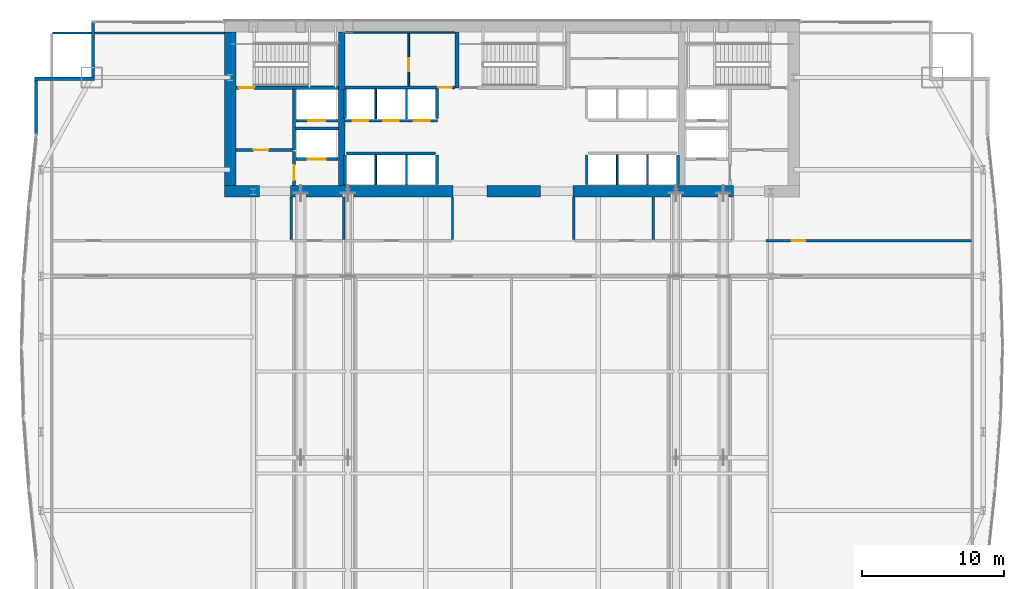
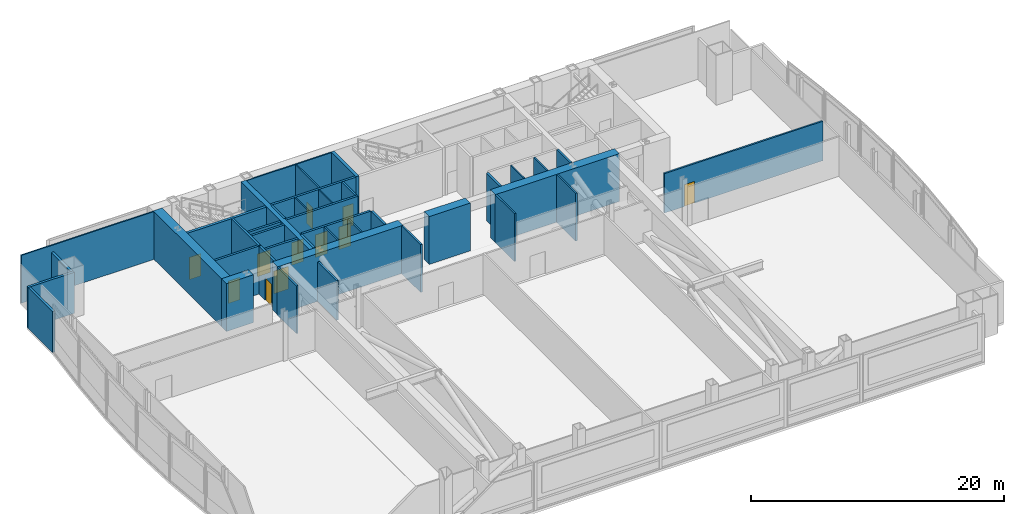
# One storey, part 27 of 32: 41 walls, 11 doors, 11 openings.
"""IFC4 building model written with IfcOpenShell, lengths in metres."""

from ifc_helpers import new_model, si_unit, direction, frame, frame_2d, origin, place, context, subcontext, project, spatial, rectangle, extrude, material, layer, layer_set, type_object, element, fill, save


model = new_model("IFC4")

# Units and contexts
model_context = context("Model", 3, precision=1e-05, world=origin(), true_north=direction((0.0, 1.0)))
body_context = subcontext(model_context, "Body", "Model", "MODEL_VIEW")
ifc_project = project(units=[si_unit("LENGTHUNIT", "METRE"), si_unit("AREAUNIT", "SQUARE_METRE"), si_unit("VOLUMEUNIT", "CUBIC_METRE"), si_unit("PLANEANGLEUNIT", "RADIAN"), si_unit("MASSUNIT", "GRAM", prefix="KILO")], contexts=[model_context])

# Site, building, storey
site_placement = place(None, origin())
site = spatial("IfcSite", under=ifc_project, at=site_placement, CompositionType="ELEMENT")
building_placement = place(site_placement, origin())
building = spatial("IfcBuilding", under=site, at=building_placement, Name="Khoronbel Lancet Exchange", CompositionType="ELEMENT")
storey_placement = place(building_placement, frame((0.0, 0.0, 85.800048828125)))
storey = spatial("IfcBuildingStorey", under=building, at=storey_placement, Name="L20", CompositionType="ELEMENT", Elevation=85.800048828125)

# Walls
ifc_material_1 = material(Name="Concrete C80/95", Category="concrete")
ifc_layer_1 = layer(ifc_material_1, 0.800048828125, Name="Concrete C80/95")
ifc_layer_set_1 = layer_set([ifc_layer_1], Name="Concrete C80/95")
wall_type_1 = type_object("IfcWallType", Name="WL-CW1", PredefinedType="SHEAR", material=ifc_layer_set_1)
wall_1_placement = place(storey_placement, frame((16.60009765625, 42.10009765625, 0.0), z_axis=(0.0, 0.0, 1.0), x_axis=(0.0, 1.0, 0.0)))
element("IfcWall", 1, at=wall_1_placement, inside=storey, type_object=wall_type_1, Name="Level L20 rear core west shear wall", PredefinedType="SHEAR", context=body_context, shape_type="SweptSolid", body=[
    extrude(rectangle(XDim=10.7998046875, YDim=0.800048828125, at=frame_2d((5.39990234375, 0.0))), origin(), (0.0, 0.0, 1.0), 4.619873046875),
])
wall_2_placement = place(storey_placement, frame((18.64990234375, 41.699951171875, 0.0), z_axis=(0.0, 0.0, 1.0), x_axis=(-1.0, 0.0, 0.0)))
element("IfcWall", 2, at=wall_2_placement, inside=storey, type_object=wall_type_1, Name="Level L20 rear core south shear wall pier P1", PredefinedType="SHEAR", context=body_context, shape_type="SweptSolid", body=[
    extrude(rectangle(XDim=2.449951171875, YDim=0.800048828125, at=frame_2d((1.22509765625, 0.0))), origin(), (0.0, 0.0, 1.0), 4.619873046875),
])
wall_3_placement = place(storey_placement, frame((32.300048828125, 41.699951171875, 0.0), z_axis=(0.0, 0.0, 1.0), x_axis=(-1.0, 0.0, 0.0)))
element("IfcWall", 3, at=wall_3_placement, inside=storey, type_object=wall_type_1, Name="Level L20 rear core south shear wall pier P2", PredefinedType="SHEAR", context=body_context, shape_type="SweptSolid", body=[
    extrude(rectangle(XDim=11.449951171875, YDim=0.800048828125, at=frame_2d((5.72509765625, 0.0))), origin(), (0.0, 0.0, 1.0), 4.619873046875),
])
wall_4_placement = place(storey_placement, frame((38.449951171875, 41.699951171875, 0.0), z_axis=(0.0, 0.0, 1.0), x_axis=(-1.0, 0.0, 0.0)))
element("IfcWall", 4, at=wall_4_placement, inside=storey, type_object=wall_type_1, Name="Level L20 rear core south shear wall pier P3", PredefinedType="SHEAR", context=body_context, shape_type="SweptSolid", body=[
    extrude(rectangle(XDim=3.75, YDim=0.800048828125, at=frame_2d((1.875, 0.0))), origin(), (0.0, 0.0, 1.0), 4.619873046875),
])
wall_5_placement = place(storey_placement, frame((52.050048828125, 41.699951171875, 0.0), z_axis=(0.0, 0.0, 1.0), x_axis=(-1.0, 0.0, 0.0)))
element("IfcWall", 5, at=wall_5_placement, inside=storey, type_object=wall_type_1, Name="Level L20 rear core south shear wall pier P4", PredefinedType="SHEAR", context=body_context, shape_type="SweptSolid", body=[
    extrude(rectangle(XDim=11.300048828125, YDim=0.800048828125, at=frame_2d((5.64990234375, 0.0))), origin(), (0.0, 0.0, 1.0), 4.619873046875),
])
ifc_material_2 = material(Name="Precast concrete C40/50", Category="concrete")
ifc_layer_2 = layer(ifc_material_2, 0.25, Name="Precast concrete C40/50")
ifc_layer_set_2 = layer_set([ifc_layer_2], Name="Precast concrete C40/50")
wall_type_2 = type_object("IfcWallType", Name="WL-EXT250", PredefinedType="SOLIDWALL", material=ifc_layer_set_2)
wall_6_placement = place(storey_placement, frame((2.93994140625, 45.67529296875, 0.0), z_axis=(0.0, 0.0, 1.0), x_axis=(0.0, 1.0, 0.0)))
element("IfcWall", 6, at=wall_6_placement, inside=storey, type_object=wall_type_2, Name="Level L20 notched-corner limestone pier 10", PredefinedType="SOLIDWALL", context=body_context, shape_type="SweptSolid", body=[
    extrude(rectangle(XDim=3.82470703125, YDim=0.219970703125, at=frame_2d((1.912353515625, 0.0))), origin(), (0.0, 0.0, 1.0), 3.9599609375),
])
wall_7_placement = place(storey_placement, frame((2.830078125, 49.610107421875, 0.0), z_axis=(0.0, 0.0, 1.0), x_axis=(1.0, 0.0, 0.0)))
element("IfcWall", 7, at=wall_7_placement, inside=storey, type_object=wall_type_2, Name="Level L20 notched-corner limestone pier 11", PredefinedType="SOLIDWALL", context=body_context, shape_type="SweptSolid", body=[
    extrude(rectangle(XDim=4.219970703125, YDim=0.219970703125, at=frame_2d((2.10986328125, 0.0))), origin(), (0.0, 0.0, 1.0), 3.9599609375),
])
wall_8_placement = place(storey_placement, frame((6.93994140625, 49.719970703125, 0.0), z_axis=(0.0, 0.0, 1.0), x_axis=(0.0, 1.0, 0.0)))
element("IfcWall", 8, at=wall_8_placement, inside=storey, type_object=wall_type_2, Name="Level L20 notched-corner limestone pier 12", PredefinedType="SOLIDWALL", context=body_context, shape_type="SweptSolid", body=[
    extrude(rectangle(XDim=3.909912109375, YDim=0.219970703125, at=frame_2d((1.955078125, 0.0))), origin(), (0.0, 0.0, 1.0), 3.9599609375),
])
ifc_material_3 = material(Name="Acoustic Metal-Stud & Mineral-Wool Gypsum Partition 120 mm", Category="gypsum")
ifc_layer_3 = layer(ifc_material_3, 0.1201171875, Name="Acoustic Metal-Stud & Mineral-Wool Gypsum Partition 120 mm")
ifc_layer_set_3 = layer_set([ifc_layer_3], Name="Acoustic Metal-Stud & Mineral-Wool Gypsum Partition 120 mm")
wall_type_3 = type_object("IfcWallType", Name="WL-PRT120", PredefinedType="PARTITIONING", material=ifc_layer_set_3)
wall_9_placement = place(storey_placement, frame((20.89990234375, 38.280029296875, 0.0), z_axis=(0.0, 0.0, 1.0), x_axis=(0.0, 1.0, 0.0)))
element("IfcWall", 9, at=wall_9_placement, inside=storey, type_object=wall_type_3, Name="Level L20 interior partition PW-RF-WC0", PredefinedType="PARTITIONING", context=body_context, shape_type="SweptSolid", body=[
    extrude(rectangle(XDim=3.02001953125, YDim=0.14990234375, at=frame_2d((1.510009765625, 0.0))), origin(), (0.0, 0.0, 1.0), 4.619873046875),
])
wall_10_placement = place(storey_placement, frame((24.60009765625, 38.280029296875, 0.0), z_axis=(0.0, 0.0, 1.0), x_axis=(0.0, 1.0, 0.0)))
element("IfcWall", 10, at=wall_10_placement, inside=storey, type_object=wall_type_3, Name="Level L20 interior partition PW-RF-WC", PredefinedType="PARTITIONING", context=body_context, shape_type="SweptSolid", body=[
    extrude(rectangle(XDim=3.02001953125, YDim=0.14990234375, at=frame_2d((1.510009765625, 0.0))), origin(), (0.0, 0.0, 1.0), 3.81005859375),
])
for number, where, z_axis, x_axis, name in (
    (11, (32.25, 38.280029296875, 0.0), (0.0, 0.0, 1.0), (0.0, 1.0, 0.0), "Level L20 interior partition PW-RF-WC3"),
    (12, (40.800048828125, 38.280029296875, 0.0), (0.0, 0.0, 1.0), (0.0, 1.0, 0.0), "Level L20 interior partition PW-RF-NE0"),
    (13, (46.39990234375, 38.280029296875, 0.0), (0.0, 0.0, 1.0), (0.0, 1.0, 0.0), "Level L20 interior partition PW-RF-NEM"),
):
    element("IfcWall", number, at=place(storey_placement, frame(where, z_axis=z_axis, x_axis=x_axis)), inside=storey, type_object=wall_type_3, Name=name, PredefinedType="PARTITIONING", context=body_context, shape_type="SweptSolid", body=[
        extrude(rectangle(XDim=3.02001953125, YDim=0.14990234375, at=frame_2d((1.510009765625, 0.0))), origin(), (0.0, 0.0, 1.0), 4.619873046875),
    ])
wall_11_placement = place(storey_placement, frame((4.094970703125, 52.840087890625, 0.0), z_axis=(0.0, 0.0, 1.0), x_axis=(1.0, 0.0, 0.0)))
element("IfcWall", 14, at=wall_11_placement, inside=storey, type_object=wall_type_3, Name="Level L20 interior partition PW-LIN-NW", PredefinedType="PARTITIONING", context=body_context, shape_type="SweptSolid", body=[
    extrude(rectangle(XDim=12.10498046875, YDim=0.1201171875, at=frame_2d((6.052490234375, 0.0))), origin(), (0.0, 0.0, 1.0), 4.619873046875),
])
ifc_material_4 = material(Name="Fire-Rated Metal-Stud & Mineral-Wool Gypsum Partition 120 mm", Category="gypsum")
ifc_layer_4 = layer(ifc_material_4, 0.1201171875, Name="Fire-Rated Metal-Stud & Mineral-Wool Gypsum Partition 120 mm")
ifc_layer_set_4 = layer_set([ifc_layer_4], Name="Fire-Rated Metal-Stud & Mineral-Wool Gypsum Partition 120 mm")
wall_type_4 = type_object("IfcWallType", Name="WL-PRT120F", PredefinedType="PARTITIONING", material=ifc_layer_set_4)
for number, where, z_axis, x_axis, name in (
    (15, (26.860107421875, 46.800048828125, 0.0), (0.0, 0.0, 1.0), (0.0, 1.0, 0.0), "Level L20 interior partition CW-PL-D1"),
    (16, (29.02001953125, 46.800048828125, 0.0), (0.0, 0.0, 1.0), (0.0, 1.0, 0.0), "Level L20 interior partition CW-PL-D2"),
):
    element("IfcWall", number, at=place(storey_placement, frame(where, z_axis=z_axis, x_axis=x_axis)), inside=storey, type_object=wall_type_4, Name=name, PredefinedType="PARTITIONING", context=body_context, shape_type="SweptSolid", body=[
        extrude(rectangle(XDim=2.094970703125, YDim=0.1201171875, at=frame_2d((1.04736328125, 0.0))), origin(), (0.0, 0.0, 1.0), 4.619873046875),
    ])
for number, where, z_axis, x_axis, name in (
    (17, (26.860107421875, 42.14990234375, 0.0), (0.0, 0.0, 1.0), (0.0, 1.0, 0.0), "Level L20 interior partition CW-PM-D1"),
    (18, (29.02001953125, 42.14990234375, 0.0), (0.0, 0.0, 1.0), (0.0, 1.0, 0.0), "Level L20 interior partition CW-PM-D2"),
    (19, (43.860107421875, 42.14990234375, 0.0), (0.0, 0.0, 1.0), (0.0, 1.0, 0.0), "Level L20 interior partition CW-PX-D1"),
    (20, (46.0, 42.14990234375, 0.0), (0.0, 0.0, 1.0), (0.0, 1.0, 0.0), "Level L20 interior partition CW-PX-D2"),
):
    element("IfcWall", number, at=place(storey_placement, frame(where, z_axis=z_axis, x_axis=x_axis)), inside=storey, type_object=wall_type_4, Name=name, PredefinedType="PARTITIONING", context=body_context, shape_type="SweptSolid", body=[
        extrude(rectangle(XDim=2.09521484375, YDim=0.1201171875, at=frame_2d((1.047607421875, 0.0))), origin(), (0.0, 0.0, 1.0), 4.619873046875),
    ])
wall_12_placement = place(storey_placement, frame((24.699951171875, 52.860107421875, 0.0), z_axis=(0.0, 0.0, 1.0), x_axis=(1.0, 0.0, 0.0)))
element("IfcWall", 21, at=wall_12_placement, inside=storey, type_object=wall_type_4, Name="Level L20 interior partition CW-SUP-NW-N", PredefinedType="PARTITIONING", context=body_context, shape_type="SweptSolid", body=[
    extrude(rectangle(XDim=7.719970703125, YDim=0.1201171875, at=frame_2d((3.85986328125, 0.0))), origin(), (0.0, 0.0, 1.0), 4.619873046875),
])

# Wall, opening, door
wall_13_placement = place(storey_placement, frame((29.177490234375, 49.10498046875, 0.0), z_axis=(0.0, 0.0, 1.0), x_axis=(0.0, 1.0, 0.0)))
wall_13 = element("IfcWall", 22, at=wall_13_placement, inside=storey, type_object=wall_type_4, Name="Level L20 interior partition CW-SUP-NW-M", PredefinedType="PARTITIONING", context=body_context, shape_type="SweptSolid", body=[
    extrude(rectangle(XDim=3.68994140625, YDim=0.1201171875, at=frame_2d((1.844970703125, 0.0))), origin(), (0.0, 0.0, 1.0), 4.619873046875),
])
opening_1_placement = place(wall_13_placement, frame((1.050048828125, 0.0, 0.0)))
opening_1 = element("IfcOpeningElement", 23, at=opening_1_placement, cuts=wall_13, Name="Opening FD4", PredefinedType="OPENING", context=body_context, shape_type="SweptSolid", body=[
    extrude(rectangle(XDim=0.89990234375, YDim=2.050048828125, at=frame_2d((0.449951171875, 1.02490234375))), frame((0.0, 0.070068359375, 0.0), z_axis=(0.0, -1.0, 0.0), x_axis=(1.0, 0.0, 0.0)), (0.0, 0.0, 1.0), 0.14013671875),
])
ifc_material_5 = material(Name="Fire-Rated Steel Core Support Door Assembly", Category="steel")
door_type_1 = type_object("IfcDoorType", Name="DR-FD4", OperationType="NOTDEFINED", PredefinedType="DOOR", material=ifc_material_5)
door_1_placement = place(opening_1_placement, origin())
door_1 = element("IfcDoor", 24, at=door_1_placement, inside=storey, type_object=door_type_1, Name="Core NW inner support door L20-1", OperationType="SINGLE_SWING_LEFT", OverallHeight=2.050048828125, OverallWidth=0.89990234375, PredefinedType="DOOR", context=body_context, shape_type="SweptSolid", body=[
    extrude(rectangle(XDim=0.89990234375, YDim=2.050048828125, at=frame_2d((0.449951171875, 1.02490234375))), frame((0.0, 0.02490234375, 0.0), z_axis=(0.0, -1.0, 0.0), x_axis=(1.0, 0.0, 0.0)), (0.0, 0.0, 1.0), 0.050048828125),
])
fill(opening_1, door_1)

ifc_material_6 = material(Name="Fire-Rated Twin-Stud Acoustic Gypsum Partition 150 mm", Category="gypsum")
ifc_layer_5 = layer(ifc_material_6, 0.14990234375, Name="Fire-Rated Twin-Stud Acoustic Gypsum Partition 150 mm")
ifc_layer_set_5 = layer_set([ifc_layer_5], Name="Fire-Rated Twin-Stud Acoustic Gypsum Partition 150 mm")
wall_type_5 = type_object("IfcWallType", Name="WL-PRT150C", PredefinedType="PARTITIONING", material=ifc_layer_set_5)
wall_14_placement = place(storey_placement, frame((54.35009765625, 38.199951171875, 0.0), z_axis=(0.0, 0.0, 1.0), x_axis=(1.0, 0.0, 0.0)))
wall_14 = element("IfcWall", 25, at=wall_14_placement, inside=storey, type_object=wall_type_5, Name="Level L20 interior partition PW-RF-NES", PredefinedType="PARTITIONING", context=body_context, shape_type="SweptSolid", body=[
    extrude(rectangle(XDim=14.454833984375, YDim=0.14990234375, at=frame_2d((7.2275390625, 0.0))), origin(), (0.0, 0.0, 1.0), 3.81005859375),
])
opening_2_placement = place(wall_14_placement, frame((1.800048828125, 0.0, 0.0)))
opening_2 = element("IfcOpeningElement", 26, at=opening_2_placement, cuts=wall_14, Name="Opening FD3", PredefinedType="OPENING", context=body_context, shape_type="SweptSolid", body=[
    extrude(rectangle(XDim=0.949951171875, YDim=2.10009765625, at=frame_2d((0.47509765625, 1.050048828125))), frame((0.0, 0.0849609375, 0.0), z_axis=(0.0, -1.0, 0.0), x_axis=(1.0, 0.0, 0.0)), (0.0, 0.0, 1.0), 0.169921875),
])
ifc_material_7 = material(Name="Fire-Rated Steel Plant & Riser Door Assembly", Category="steel")
door_type_2 = type_object("IfcDoorType", Name="DR-FD3", OperationType="NOTDEFINED", PredefinedType="DOOR", material=ifc_material_7)
door_2_placement = place(opening_2_placement, origin())
door_2 = element("IfcDoor", 27, at=door_2_placement, inside=storey, type_object=door_type_2, Name="NE UPS plant door L20-1", OperationType="SINGLE_SWING_LEFT", OverallHeight=2.10009765625, OverallWidth=0.949951171875, PredefinedType="DOOR", context=body_context, shape_type="SweptSolid", body=[
    extrude(rectangle(XDim=0.949951171875, YDim=2.10009765625, at=frame_2d((0.47509765625, 1.050048828125))), frame((0.0, 0.02490234375, 0.0), z_axis=(0.0, -1.0, 0.0), x_axis=(1.0, 0.0, 0.0)), (0.0, 0.0, 1.0), 0.050048828125),
])
fill(opening_2, door_2)

ifc_material_8 = material(Name="Autoclaved Aerated Concrete Blockwork 200 mm", Category="masonry")
ifc_layer_6 = layer(ifc_material_8, 0.199951171875, Name="Autoclaved Aerated Concrete Blockwork 200 mm")
ifc_layer_set_6 = layer_set([ifc_layer_6], Name="Autoclaved Aerated Concrete Blockwork 200 mm")
wall_type_6 = type_object("IfcWallType", Name="WL-PRT200", PredefinedType="PARTITIONING", material=ifc_layer_set_6)
wall_15_placement = place(storey_placement, frame((24.2099609375, 43.949951171875, 0.0), z_axis=(0.0, 0.0, 1.0), x_axis=(-1.0, 0.0, 0.0)))
wall_15 = element("IfcWall", 28, at=wall_15_placement, inside=storey, type_object=wall_type_6, Name="Level L20 elevator hoistway landing front wall SVLW", PredefinedType="PARTITIONING", context=body_context, shape_type="SweptSolid", body=[
    extrude(rectangle(XDim=2.969970703125, YDim=0.199951171875, at=frame_2d((1.48486328125, 0.0))), origin(), (0.0, 0.0, 1.0), 4.619873046875),
])
opening_3_placement = place(wall_15_placement, frame((0.860107421875, 0.0, 0.0)))
opening_3 = element("IfcOpeningElement", 29, at=opening_3_placement, cuts=wall_15, Name="Opening LD-SVL1", PredefinedType="OPENING", context=body_context, shape_type="SweptSolid", body=[
    extrude(rectangle(XDim=1.300048828125, YDim=2.179931640625, at=frame_2d((0.64990234375, 1.08984375))), frame((0.0, 0.10986328125, 0.0), z_axis=(0.0, -1.0, 0.0), x_axis=(1.0, 0.0, 0.0)), (0.0, 0.0, 1.0), 0.219970703125),
])
ifc_material_9 = material(Name="Heavy-Duty Bi-Parting Goods Lift Landing Door", Category="steel")
door_type_3 = type_object("IfcDoorType", Name="DR-LD-SVL", OperationType="NOTDEFINED", PredefinedType="DOOR", material=ifc_material_9)
door_3_placement = place(opening_3_placement, origin())
door_3 = element("IfcDoor", 30, at=door_3_placement, inside=storey, type_object=door_type_3, Name="Elevator landing sliding door LD-SVL1 L20", OperationType="SLIDING_TO_LEFT", OverallHeight=2.179931640625, OverallWidth=1.300048828125, PredefinedType="DOOR", context=body_context, shape_type="SweptSolid", body=[
    extrude(rectangle(XDim=1.300048828125, YDim=2.179931640625, at=frame_2d((0.64990234375, 1.08984375))), frame((0.0, 0.02490234375, 0.0), z_axis=(0.0, -1.0, 0.0), x_axis=(1.0, 0.0, 0.0)), (0.0, 0.0, 1.0), 0.050048828125),
])
fill(opening_3, door_3)

wall_16_placement = place(storey_placement, frame((24.2099609375, 46.64990234375, 0.0), z_axis=(0.0, 0.0, 1.0), x_axis=(-1.0, 0.0, 0.0)))
wall_16 = element("IfcWall", 31, at=wall_16_placement, inside=storey, type_object=wall_type_6, Name="Level L20 elevator hoistway landing front wall FFLW", PredefinedType="PARTITIONING", context=body_context, shape_type="SweptSolid", body=[
    extrude(rectangle(XDim=2.969970703125, YDim=0.199951171875, at=frame_2d((1.48486328125, 0.0))), origin(), (0.0, 0.0, 1.0), 4.619873046875),
])
opening_4_placement = place(wall_16_placement, frame((0.909912109375, 0.0, 0.0)))
opening_4 = element("IfcOpeningElement", 32, at=opening_4_placement, cuts=wall_16, Name="Opening LD-FFL1", PredefinedType="OPENING", context=body_context, shape_type="SweptSolid", body=[
    extrude(rectangle(XDim=1.199951171875, YDim=2.179931640625, at=frame_2d((0.60009765625, 1.08984375))), frame((0.0, 0.10986328125, 0.0), z_axis=(0.0, -1.0, 0.0), x_axis=(1.0, 0.0, 0.0)), (0.0, 0.0, 1.0), 0.219970703125),
])
ifc_material_10 = material(Name="Fire-Rated Stainless Bi-Parting Firefighting Lift Door", Category="steel")
door_type_4 = type_object("IfcDoorType", Name="DR-LD-FFL", OperationType="NOTDEFINED", PredefinedType="DOOR", material=ifc_material_10)
door_4_placement = place(opening_4_placement, origin())
door_4 = element("IfcDoor", 33, at=door_4_placement, inside=storey, type_object=door_type_4, Name="Elevator landing sliding door LD-FFL1 L20", OperationType="SLIDING_TO_LEFT", OverallHeight=2.179931640625, OverallWidth=1.199951171875, PredefinedType="DOOR", context=body_context, shape_type="SweptSolid", body=[
    extrude(rectangle(XDim=1.199951171875, YDim=2.179931640625, at=frame_2d((0.60009765625, 1.08984375))), frame((0.0, 0.02490234375, 0.0), z_axis=(0.0, -1.0, 0.0), x_axis=(1.0, 0.0, 0.0)), (0.0, 0.0, 1.0), 0.050048828125),
])
fill(opening_4, door_4)

# Wall, openings, doors
wall_17_placement = place(storey_placement, frame((31.219970703125, 46.64990234375, 0.0), z_axis=(0.0, 0.0, 1.0), x_axis=(-1.0, 0.0, 0.0)))
wall_17 = element("IfcWall", 34, at=wall_17_placement, inside=storey, type_object=wall_type_6, Name="Level L20 elevator hoistway landing front wall PLW", PredefinedType="PARTITIONING", context=body_context, shape_type="SweptSolid", body=[
    extrude(rectangle(XDim=6.530029296875, YDim=0.199951171875, at=frame_2d((3.26513671875, 0.0))), origin(), (0.0, 0.0, 1.0), 4.619873046875),
])
opening_5_placement = place(wall_17_placement, frame((4.89990234375, 0.0, 0.0)))
opening_5 = element("IfcOpeningElement", 35, at=opening_5_placement, cuts=wall_17, Name="Opening LD-PL1", PredefinedType="OPENING", context=body_context, shape_type="SweptSolid", body=[
    extrude(rectangle(XDim=1.10009765625, YDim=2.179931640625, at=frame_2d((0.550048828125, 1.08984375))), frame((0.0, 0.10986328125, 0.0), z_axis=(0.0, -1.0, 0.0), x_axis=(1.0, 0.0, 0.0)), (0.0, 0.0, 1.0), 0.219970703125),
])
opening_6_placement = place(wall_17_placement, frame((2.739990234375, 0.0, 0.0)))
opening_6 = element("IfcOpeningElement", 36, at=opening_6_placement, cuts=wall_17, Name="Opening LD-PL2", PredefinedType="OPENING", context=body_context, shape_type="SweptSolid", body=[
    extrude(rectangle(XDim=1.10009765625, YDim=2.179931640625, at=frame_2d((0.550048828125, 1.08984375))), frame((0.0, 0.10986328125, 0.0), z_axis=(0.0, -1.0, 0.0), x_axis=(1.0, 0.0, 0.0)), (0.0, 0.0, 1.0), 0.219970703125),
])
opening_7_placement = place(wall_17_placement, frame((0.580078125, 0.0, 0.0)))
opening_7 = element("IfcOpeningElement", 37, at=opening_7_placement, cuts=wall_17, Name="Opening LD-PL3", PredefinedType="OPENING", context=body_context, shape_type="SweptSolid", body=[
    extrude(rectangle(XDim=1.10009765625, YDim=2.179931640625, at=frame_2d((0.550048828125, 1.08984375))), frame((0.0, 0.10986328125, 0.0), z_axis=(0.0, -1.0, 0.0), x_axis=(1.0, 0.0, 0.0)), (0.0, 0.0, 1.0), 0.219970703125),
])
ifc_material_11 = material(Name="Brushed Bronze Bi-Parting Elevator Landing Door", Category="steel")
door_type_5 = type_object("IfcDoorType", Name="DR-LD-PAX", OperationType="NOTDEFINED", PredefinedType="DOOR", material=ifc_material_11)
door_5_placement = place(opening_5_placement, origin())
door_5 = element("IfcDoor", 38, at=door_5_placement, inside=storey, type_object=door_type_5, Name="Elevator landing sliding door LD-PL1 L20", OperationType="SLIDING_TO_LEFT", OverallHeight=2.179931640625, OverallWidth=1.10009765625, PredefinedType="DOOR", context=body_context, shape_type="SweptSolid", body=[
    extrude(rectangle(XDim=1.10009765625, YDim=2.179931640625, at=frame_2d((0.550048828125, 1.08984375))), frame((0.0, 0.02490234375, 0.0), z_axis=(0.0, -1.0, 0.0), x_axis=(1.0, 0.0, 0.0)), (0.0, 0.0, 1.0), 0.050048828125),
])
fill(opening_5, door_5)
door_6_placement = place(opening_6_placement, origin())
door_6 = element("IfcDoor", 39, at=door_6_placement, inside=storey, type_object=door_type_5, Name="Elevator landing sliding door LD-PL2 L20", OperationType="SLIDING_TO_LEFT", OverallHeight=2.179931640625, OverallWidth=1.10009765625, PredefinedType="DOOR", context=body_context, shape_type="SweptSolid", body=[
    extrude(rectangle(XDim=1.10009765625, YDim=2.179931640625, at=frame_2d((0.550048828125, 1.08984375))), frame((0.0, 0.02490234375, 0.0), z_axis=(0.0, -1.0, 0.0), x_axis=(1.0, 0.0, 0.0)), (0.0, 0.0, 1.0), 0.050048828125),
])
fill(opening_6, door_6)
door_7_placement = place(opening_7_placement, origin())
door_7 = element("IfcDoor", 40, at=door_7_placement, inside=storey, type_object=door_type_5, Name="Elevator landing sliding door LD-PL3 L20", OperationType="SLIDING_TO_LEFT", OverallHeight=2.179931640625, OverallWidth=1.10009765625, PredefinedType="DOOR", context=body_context, shape_type="SweptSolid", body=[
    extrude(rectangle(XDim=1.10009765625, YDim=2.179931640625, at=frame_2d((0.550048828125, 1.08984375))), frame((0.0, 0.02490234375, 0.0), z_axis=(0.0, -1.0, 0.0), x_axis=(1.0, 0.0, 0.0)), (0.0, 0.0, 1.0), 0.050048828125),
])
fill(opening_7, door_7)

# Wall
wall_18_placement = place(storey_placement, frame((21.10009765625, 44.60009765625, 0.0), z_axis=(0.0, 0.0, 1.0), x_axis=(0.0, 1.0, 0.0)))
element("IfcWall", 41, at=wall_18_placement, inside=storey, type_object=wall_type_6, Name="Level L20 interior partition CW-FFLW-E", PredefinedType="PARTITIONING", context=body_context, shape_type="SweptSolid", body=[
    extrude(rectangle(XDim=4.2998046875, YDim=0.199951171875, at=frame_2d((2.14990234375, 0.0))), origin(), (0.0, 0.0, 1.0), 4.619873046875),
])

# Wall, opening, door
wall_19_placement = place(storey_placement, frame((17.0, 44.60009765625, 0.0), z_axis=(0.0, 0.0, 1.0), x_axis=(1.0, 0.0, 0.0)))
wall_19 = element("IfcWall", 42, at=wall_19_placement, inside=storey, type_object=wall_type_6, Name="Level L20 interior partition CW-FFLW-S", PredefinedType="PARTITIONING", context=body_context, shape_type="SweptSolid", body=[
    extrude(rectangle(XDim=4.0, YDim=0.199951171875, at=frame_2d((2.0, 0.0))), origin(), (0.0, 0.0, 1.0), 4.619873046875),
])
opening_8_placement = place(wall_19_placement, frame((1.25, 0.0, 0.0)))
opening_8 = element("IfcOpeningElement", 43, at=opening_8_placement, cuts=wall_19, Name="Opening FD1", PredefinedType="OPENING", context=body_context, shape_type="SweptSolid", body=[
    extrude(rectangle(XDim=1.050048828125, YDim=2.14990234375, at=frame_2d((0.52490234375, 1.074951171875))), frame((0.0, 0.10986328125, 0.0), z_axis=(0.0, -1.0, 0.0), x_axis=(1.0, 0.0, 0.0)), (0.0, 0.0, 1.0), 0.219970703125),
])
ifc_material_12 = material(Name="Fire-Rated Painted Steel Door Assembly", Category="steel")
door_type_6 = type_object("IfcDoorType", Name="DR-FD1", OperationType="NOTDEFINED", PredefinedType="DOOR", material=ifc_material_12)
door_8_placement = place(opening_8_placement, origin())
door_8 = element("IfcDoor", 44, at=door_8_placement, inside=storey, type_object=door_type_6, Name="West firefighting lobby FD90S door L20-1", OperationType="SINGLE_SWING_RIGHT", OverallHeight=2.14990234375, OverallWidth=1.050048828125, PredefinedType="DOOR", context=body_context, shape_type="SweptSolid", body=[
    extrude(rectangle(XDim=1.050048828125, YDim=2.14990234375, at=frame_2d((0.52490234375, 1.074951171875))), frame((0.0, 0.02490234375, 0.0), z_axis=(0.0, -1.0, 0.0), x_axis=(1.0, 0.0, 0.0)), (0.0, 0.0, 1.0), 0.050048828125),
])
fill(opening_8, door_8)

# Wall
wall_20_placement = place(storey_placement, frame((21.199951171875, 46.1201171875, 0.0), z_axis=(0.0, 0.0, 1.0), x_axis=(1.0, 0.0, 0.0)))
element("IfcWall", 45, at=wall_20_placement, inside=storey, type_object=wall_type_6, Name="Level L20 interior partition CW-FFL1-S", PredefinedType="PARTITIONING", context=body_context, shape_type="SweptSolid", body=[
    extrude(rectangle(XDim=3.02001953125, YDim=0.199951171875, at=frame_2d((1.510009765625, 0.0))), origin(), (0.0, 0.0, 1.0), 4.619873046875),
])

# Wall, opening, door
wall_21_placement = place(storey_placement, frame((21.10009765625, 42.10009765625, 0.0), z_axis=(0.0, 0.0, 1.0), x_axis=(0.0, 1.0, 0.0)))
wall_21 = element("IfcWall", 46, at=wall_21_placement, inside=storey, type_object=wall_type_6, Name="Level L20 interior partition CW-SVLW-W", PredefinedType="PARTITIONING", context=body_context, shape_type="SweptSolid", body=[
    extrude(rectangle(XDim=2.39501953125, YDim=0.199951171875, at=frame_2d((1.197509765625, 0.0))), origin(), (0.0, 0.0, 1.0), 4.619873046875),
])
opening_9_placement = place(wall_21_placement, frame((0.3798828125, 0.0, 0.0)))
opening_9 = element("IfcOpeningElement", 47, at=opening_9_placement, cuts=wall_21, Name="Opening FD1", PredefinedType="OPENING", context=body_context, shape_type="SweptSolid", body=[
    extrude(rectangle(XDim=1.050048828125, YDim=2.14990234375, at=frame_2d((0.52490234375, 1.074951171875))), frame((0.0, 0.10986328125, 0.0), z_axis=(0.0, -1.0, 0.0), x_axis=(1.0, 0.0, 0.0)), (0.0, 0.0, 1.0), 0.219970703125),
])
door_9_placement = place(opening_9_placement, origin())
door_9 = element("IfcDoor", 48, at=door_9_placement, inside=storey, type_object=door_type_6, Name="West service lift lobby door L20-1", OperationType="SINGLE_SWING_LEFT", OverallHeight=2.14990234375, OverallWidth=1.050048828125, PredefinedType="DOOR", context=body_context, shape_type="SweptSolid", body=[
    extrude(rectangle(XDim=1.050048828125, YDim=2.14990234375, at=frame_2d((0.52490234375, 1.074951171875))), frame((0.0, 0.02490234375, 0.0), z_axis=(0.0, -1.0, 0.0), x_axis=(1.0, 0.0, 0.0)), (0.0, 0.0, 1.0), 0.050048828125),
])
fill(opening_9, door_9)

# Walls
for number, where, z_axis, x_axis, name in (
    (49, (24.699951171875, 46.800048828125, 0.0), (0.0, 0.0, 1.0), (0.0, 1.0, 0.0), "Level L20 interior partition CW-PL-W"),
    (50, (31.179931640625, 46.800048828125, 0.0), (0.0, 0.0, 1.0), (0.0, 1.0, 0.0), "Level L20 interior partition CW-PL-E"),
):
    element("IfcWall", number, at=place(storey_placement, frame(where, z_axis=z_axis, x_axis=x_axis)), inside=storey, type_object=wall_type_6, Name=name, PredefinedType="PARTITIONING", context=body_context, shape_type="SweptSolid", body=[
        extrude(rectangle(XDim=2.094970703125, YDim=0.199951171875, at=frame_2d((1.04736328125, 0.0))), origin(), (0.0, 0.0, 1.0), 4.619873046875),
    ])
wall_22_placement = place(storey_placement, frame((24.804931640625, 44.35009765625, 0.0), z_axis=(0.0, 0.0, 1.0), x_axis=(1.0, 0.0, 0.0)))
element("IfcWall", 51, at=wall_22_placement, inside=storey, type_object=wall_type_6, Name="Level L20 interior partition CW-PM-EXP", PredefinedType="PARTITIONING", context=body_context, shape_type="SweptSolid", body=[
    extrude(rectangle(XDim=6.27001953125, YDim=0.199951171875, at=frame_2d((3.135009765625, 0.0))), origin(), (0.0, 0.0, 1.0), 4.619873046875),
])
for number, where, z_axis, x_axis, name in (
    (52, (24.699951171875, 42.14990234375, 0.0), (0.0, 0.0, 1.0), (0.0, 1.0, 0.0), "Level L20 interior partition CW-PM-W"),
    (53, (31.179931640625, 42.14990234375, 0.0), (0.0, 0.0, 1.0), (0.0, 1.0, 0.0), "Level L20 interior partition CW-PM-E"),
    (54, (41.719970703125, 42.14990234375, 0.0), (0.0, 0.0, 1.0), (0.0, 1.0, 0.0), "Level L20 interior partition CW-PX-W"),
    (55, (48.139892578125, 42.14990234375, 0.0), (0.0, 0.0, 1.0), (0.0, 1.0, 0.0), "Level L20 interior partition CW-PX-E"),
):
    element("IfcWall", number, at=place(storey_placement, frame(where, z_axis=z_axis, x_axis=x_axis)), inside=storey, type_object=wall_type_6, Name=name, PredefinedType="PARTITIONING", context=body_context, shape_type="SweptSolid", body=[
        extrude(rectangle(XDim=2.09521484375, YDim=0.199951171875, at=frame_2d((1.047607421875, 0.0))), origin(), (0.0, 0.0, 1.0), 4.619873046875),
    ])

# Wall, opening, door
wall_23_placement = place(storey_placement, frame((24.699951171875, 49.0, 0.0), z_axis=(0.0, 0.0, 1.0), x_axis=(1.0, 0.0, 0.0)))
wall_23 = element("IfcWall", 56, at=wall_23_placement, inside=storey, type_object=wall_type_6, Name="Level L20 interior partition CW-SUP-NW-S", PredefinedType="PARTITIONING", context=body_context, shape_type="SweptSolid", body=[
    extrude(rectangle(XDim=7.719970703125, YDim=0.199951171875, at=frame_2d((3.85986328125, 0.0))), origin(), (0.0, 0.0, 1.0), 4.619873046875),
])
opening_10_placement = place(wall_23_placement, frame((6.56005859375, 0.0, 0.0)))
opening_10 = element("IfcOpeningElement", 57, at=opening_10_placement, cuts=wall_23, Name="Opening FD3", PredefinedType="OPENING", context=body_context, shape_type="SweptSolid", body=[
    extrude(rectangle(XDim=0.949951171875, YDim=2.10009765625, at=frame_2d((0.47509765625, 1.050048828125))), frame((0.0, 0.10986328125, 0.0), z_axis=(0.0, -1.0, 0.0), x_axis=(1.0, 0.0, 0.0)), (0.0, 0.0, 1.0), 0.219970703125),
])
door_10_placement = place(opening_10_placement, origin())
door_10 = element("IfcDoor", 58, at=door_10_placement, inside=storey, type_object=door_type_2, Name="Core NW support room door L20-1", OperationType="SINGLE_SWING_RIGHT", OverallHeight=2.10009765625, OverallWidth=0.949951171875, PredefinedType="DOOR", context=body_context, shape_type="SweptSolid", body=[
    extrude(rectangle(XDim=0.949951171875, YDim=2.10009765625, at=frame_2d((0.47509765625, 1.050048828125))), frame((0.0, 0.02490234375, 0.0), z_axis=(0.0, -1.0, 0.0), x_axis=(1.0, 0.0, 0.0)), (0.0, 0.0, 1.0), 0.050048828125),
])
fill(opening_10, door_10)

# Walls
ifc_layer_7 = layer(ifc_material_1, 0.449951171875, Name="Concrete C80/95")
ifc_layer_set_7 = layer_set([ifc_layer_7], Name="Concrete C80/95")
wall_type_7 = type_object("IfcWallType", Name="WL-SW1", PredefinedType="SHEAR", material=ifc_layer_set_7)
wall_24_placement = place(storey_placement, frame((24.449951171875, 42.10009765625, 0.0), z_axis=(0.0, 0.0, 1.0), x_axis=(0.0, 1.0, 0.0)))
element("IfcWall", 59, at=wall_24_placement, inside=storey, type_object=wall_type_7, Name="Level L20 rear core internal spine shear wall IW", PredefinedType="SHEAR", context=body_context, shape_type="SweptSolid", body=[
    extrude(rectangle(XDim=10.7998046875, YDim=0.449951171875, at=frame_2d((5.39990234375, 0.0))), origin(), (0.0, 0.0, 1.0), 4.619873046875),
])
ifc_material_13 = material(Name="Concrete C60/75", Category="concrete")
ifc_layer_8 = layer(ifc_material_13, 0.260009765625, Name="Concrete C60/75")
ifc_layer_set_8 = layer_set([ifc_layer_8], Name="Concrete C60/75")
wall_type_8 = type_object("IfcWallType", Name="WL-SW3", PredefinedType="SHEAR", material=ifc_layer_set_8)
wall_25_placement = place(storey_placement, frame((32.580078125, 48.949951171875, 0.0), z_axis=(0.0, 0.0, 1.0), x_axis=(0.0, 1.0, 0.0)))
element("IfcWall", 60, at=wall_25_placement, inside=storey, type_object=wall_type_8, Name="Level L20 central stairwell structural shear wall ST3W", PredefinedType="SHEAR", context=body_context, shape_type="SweptSolid", body=[
    extrude(rectangle(XDim=3.949951171875, YDim=0.260009765625, at=frame_2d((1.97509765625, 0.0))), origin(), (0.0, 0.0, 1.0), 4.619873046875),
])

# Wall, opening, door
wall_26_placement = place(storey_placement, frame((17.0, 48.97998046875, 0.0), z_axis=(0.0, 0.0, 1.0), x_axis=(1.0, 0.0, 0.0)))
wall_26 = element("IfcWall", 61, at=wall_26_placement, inside=storey, type_object=wall_type_8, Name="Level L20 west stairwell structural south wall", PredefinedType="SHEAR", context=body_context, shape_type="SweptSolid", body=[
    extrude(rectangle(XDim=7.219970703125, YDim=0.239990234375, at=frame_2d((3.60986328125, 0.0))), origin(), (0.0, 0.0, 1.0), 4.619873046875),
])
opening_11_placement = place(wall_26_placement, frame((0.219970703125, 0.0, 0.0)))
opening_11 = element("IfcOpeningElement", 62, at=opening_11_placement, cuts=wall_26, Name="Opening SD1", PredefinedType="OPENING", context=body_context, shape_type="SweptSolid", body=[
    extrude(rectangle(XDim=1.050048828125, YDim=2.14990234375, at=frame_2d((0.52490234375, 1.074951171875))), frame((0.0, 0.1298828125, 0.0), z_axis=(0.0, -1.0, 0.0), x_axis=(1.0, 0.0, 0.0)), (0.0, 0.0, 1.0), 0.260009765625),
])
ifc_material_14 = material(Name="Fire-Rated Steel Stairwell Door Assembly", Category="steel")
door_type_7 = type_object("IfcDoorType", Name="DR-SD1", OperationType="NOTDEFINED", PredefinedType="DOOR", material=ifc_material_14)
door_11_placement = place(opening_11_placement, origin())
door_11 = element("IfcDoor", 63, at=door_11_placement, inside=storey, type_object=door_type_7, Name="Protected exit stair ST1 door L20", OperationType="SINGLE_SWING_LEFT", OverallHeight=2.14990234375, OverallWidth=1.050048828125, PredefinedType="DOOR", context=body_context, shape_type="SweptSolid", body=[
    extrude(rectangle(XDim=1.050048828125, YDim=2.14990234375, at=frame_2d((0.52490234375, 1.074951171875))), frame((0.0, 0.02490234375, 0.0), z_axis=(0.0, -1.0, 0.0), x_axis=(1.0, 0.0, 0.0)), (0.0, 0.0, 1.0), 0.050048828125),
])
fill(opening_11, door_11)

save(model, "model.ifc")
